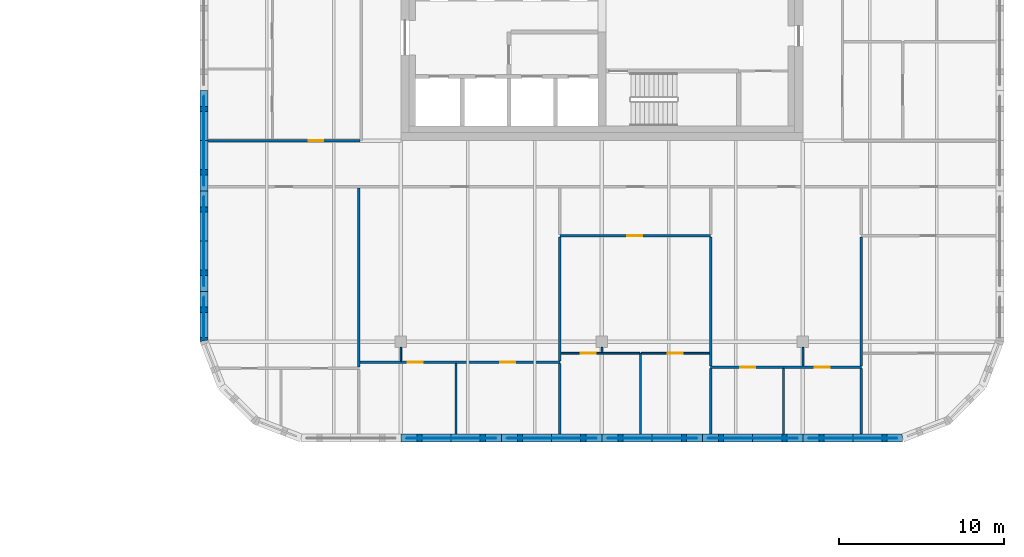
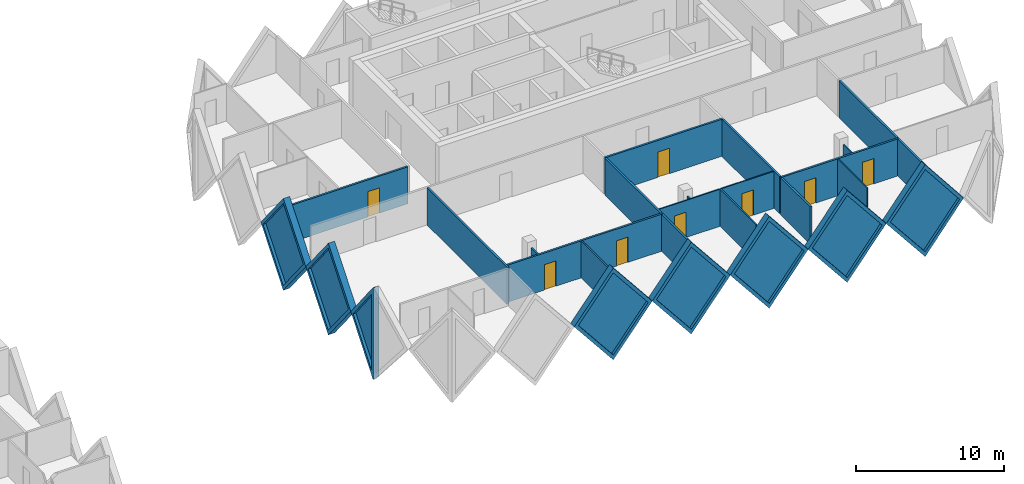
# One storey, part 12 of 19: 27 walls, 8 doors, 8 plates, 16 openings.
"""IFC4 building model written with IfcOpenShell, lengths in metres."""

from ifc_helpers import new_model, si_unit, direction, frame, frame_2d, origin, place, context, subcontext, project, spatial, polyline, rectangle, outline, extrude, faceted_brep, source, transform, mapped, material, layer, layer_set, type_object, element, fill, save


model = new_model("IFC4")

# Units and contexts
model_context = context("Model", 3, precision=1e-05, world=origin(), true_north=direction((0.0, 1.0)))
body_context = subcontext(model_context, "Body", "Model", "MODEL_VIEW")
ifc_project = project(units=[si_unit("LENGTHUNIT", "METRE"), si_unit("AREAUNIT", "SQUARE_METRE"), si_unit("VOLUMEUNIT", "CUBIC_METRE"), si_unit("PLANEANGLEUNIT", "RADIAN"), si_unit("MASSUNIT", "GRAM", prefix="KILO")], contexts=[model_context])

# Site, building, storey
site_placement = place(None, origin())
site = spatial("IfcSite", under=ifc_project, at=site_placement, CompositionType="ELEMENT")
building_placement = place(site_placement, origin())
building = spatial("IfcBuilding", under=site, at=building_placement, Name="Tessera Gate Towers", CompositionType="ELEMENT")
storey_placement = place(building_placement, frame((0.0, 0.0, 72.39990234375)))
storey = spatial("IfcBuildingStorey", under=building, at=storey_placement, Name="L17", CompositionType="ELEMENT", Elevation=72.39990234375)

# Wall, opening, door
ifc_material_1 = material(Name="Gypsum board on steel studs, mineral wool", Category="steel")
ifc_layer_1 = layer(ifc_material_1, 0.14990234375)
ifc_layer_set_1 = layer_set([ifc_layer_1], Name="CORRIDOR WALL 150")
wall_type_1 = type_object("IfcWallType", Name="CORRIDOR WALL 150", PredefinedType="PARTITIONING", material=ifc_layer_set_1)
wall_1_placement = place(storey_placement, frame((85.89990234375, 36.60009765625, 0.0), z_axis=(0.0, 0.0, 1.0), x_axis=(1.0, 0.0, 0.0)))
wall_1 = element("IfcWall", 1, at=wall_1_placement, inside=storey, type_object=wall_type_1, Name="T2-L17-PW-028", PredefinedType="PARTITIONING", context=body_context, shape_type="SweptSolid", body=[
    extrude(rectangle(XDim=9.22412109375, YDim=0.14990234375, at=frame_2d((4.612060546875, 0.0))), origin(), (0.0, 0.0, 1.0), 3.067138671875),
])
shared_shape_1 = source(origin(), body_context, "Body", "SweptSolid", [
    extrude(rectangle(XDim=0.89990234375, YDim=2.10009765625, at=frame_2d((0.449951171875, 1.050048828125))), frame((0.0, 0.0849609375, 0.0), z_axis=(0.0, -1.0, 0.0), x_axis=(1.0, 0.0, 0.0)), (0.0, 0.0, 1.0), 0.169921875),
])
opening_1_placement = place(wall_1_placement, frame((6.10009765625, 0.0, 0.0)))
opening_1 = element("IfcOpeningElement", 2, at=opening_1_placement, cuts=wall_1, Name="Opening D890FD60-B07-03", PredefinedType="OPENING", context=body_context, shape_type="MappedRepresentation", body=[
    mapped(shared_shape_1, transform((0.0, 0.0, 0.0), scale=1.0)),
])
ifc_material_2 = material(Name="Timber door leaf in steel frame", Category="steel")
door_type_1 = type_object("IfcDoorType", Name="CORRIDOR DOOR 900 FD60", OperationType="NOTDEFINED", PredefinedType="DOOR", material=ifc_material_2)
shared_shape_2 = source(origin(), body_context, "Body", "SweptSolid", [
    extrude(rectangle(XDim=0.89990234375, YDim=2.10009765625, at=frame_2d((0.449951171875, 1.050048828125))), frame((0.0, 0.02490234375, 0.0), z_axis=(0.0, -1.0, 0.0), x_axis=(1.0, 0.0, 0.0)), (0.0, 0.0, 1.0), 0.050048828125),
])
door_1_placement = place(opening_1_placement, origin())
door_1 = element("IfcDoor", 3, at=door_1_placement, inside=storey, type_object=door_type_1, Name="T2-L17-PD-028", OperationType="SINGLE_SWING_LEFT", OverallHeight=2.10009765625, OverallWidth=0.89990234375, PredefinedType="DOOR", context=body_context, shape_type="MappedRepresentation", body=[
    mapped(shared_shape_2, transform((0.0, 0.0, 0.0), scale=1.0)),
])
fill(opening_1, door_1)

# Walls
ifc_material_3 = material(Name="Gypsum board on steel studs", Category="steel")
ifc_layer_2 = layer(ifc_material_3, 0.10009765625)
ifc_layer_set_2 = layer_set([ifc_layer_2], Name="PARTITION 100")
wall_type_2 = type_object("IfcWallType", Name="PARTITION 100", PredefinedType="PARTITIONING", material=ifc_layer_set_2)
wall_2_placement = place(storey_placement, frame((100.944091796875, 18.800048828125, 0.0), z_axis=(0.0, 0.0, 1.0), x_axis=(0.0, 1.0, 0.0)))
element("IfcWall", 4, at=wall_2_placement, inside=storey, type_object=wall_type_2, Name="T2-L17-PW-002", PredefinedType="PARTITIONING", context=body_context, shape_type="SweptSolid", body=[
    extrude(rectangle(XDim=4.27392578125, YDim=0.10009765625, at=frame_2d((2.136962890625, 0.0))), origin(), (0.0, 0.0, 1.0), 3.067138671875),
])
wall_3_placement = place(storey_placement, frame((112.14501953125, 18.800048828125, 0.0), z_axis=(0.0, 0.0, 1.0), x_axis=(0.0, 1.0, 0.0)))
element("IfcWall", 5, at=wall_3_placement, inside=storey, type_object=wall_type_2, Name="T2-L17-PW-004", PredefinedType="PARTITIONING", context=body_context, shape_type="SweptSolid", body=[
    extrude(rectangle(XDim=4.89990234375, YDim=0.10009765625, at=frame_2d((2.449951171875, 0.0))), origin(), (0.0, 0.0, 1.0), 3.067138671875),
])
wall_4_placement = place(storey_placement, frame((120.820068359375, 18.800048828125, 0.0), z_axis=(0.0, 0.0, 1.0), x_axis=(0.0, 1.0, 0.0)))
element("IfcWall", 6, at=wall_4_placement, inside=storey, type_object=wall_type_2, Name="T2-L17-PW-006", PredefinedType="PARTITIONING", context=body_context, shape_type="SweptSolid", body=[
    extrude(rectangle(XDim=3.973876953125, YDim=0.10009765625, at=frame_2d((1.98681640625, 0.0))), origin(), (0.0, 0.0, 1.0), 3.067138671875),
])

# Wall, opening, door
wall_5_placement = place(storey_placement, frame((112.09423828125, 23.699951171875, 0.0), z_axis=(0.0, 0.0, 1.0), x_axis=(-1.0, 0.0, 0.0)))
wall_5 = element("IfcWall", 7, at=wall_5_placement, inside=storey, type_object=wall_type_2, Name="T2-L17-PW-016", PredefinedType="PARTITIONING", context=body_context, shape_type="SweptSolid", body=[
    extrude(rectangle(XDim=4.768310546875, YDim=0.10009765625, at=frame_2d((2.38427734375, 0.0))), origin(), (0.0, 0.0, 1.0), 3.067138671875),
])
shared_shape_3 = source(origin(), body_context, "Body", "SweptSolid", [
    extrude(rectangle(XDim=0.89990234375, YDim=2.10009765625, at=frame_2d((0.449951171875, 1.050048828125))), frame((0.0, 0.06005859375, 0.0), z_axis=(0.0, -1.0, 0.0), x_axis=(1.0, 0.0, 0.0)), (0.0, 0.0, 1.0), 0.1201171875),
])
opening_2_placement = place(wall_5_placement, frame((2.668212890625, 0.0, 0.0)))
opening_2 = element("IfcOpeningElement", 8, at=opening_2_placement, cuts=wall_5, Name="Opening D190-B07-06", PredefinedType="OPENING", context=body_context, shape_type="MappedRepresentation", body=[
    mapped(shared_shape_3, transform((0.0, 0.0, 0.0), scale=1.0)),
])
ifc_material_4 = material(Name="Timber door leaf in steel frame", Category="steel")
door_type_2 = type_object("IfcDoorType", Name="INTERNAL DOOR 900 NOT RATED", OperationType="NOTDEFINED", PredefinedType="DOOR", material=ifc_material_4)
door_2_placement = place(opening_2_placement, origin())
door_2 = element("IfcDoor", 9, at=door_2_placement, inside=storey, type_object=door_type_2, Name="T2-L17-PD-009", OperationType="SINGLE_SWING_LEFT", OverallHeight=2.10009765625, OverallWidth=0.89990234375, PredefinedType="DOOR", context=body_context, shape_type="MappedRepresentation", body=[
    mapped(shared_shape_2, transform((0.0, 0.0, 0.0), scale=1.0)),
])
fill(opening_2, door_2)

wall_6_placement = place(storey_placement, frame((116.323974609375, 23.699951171875, 0.0), z_axis=(0.0, 0.0, 1.0), x_axis=(-1.0, 0.0, 0.0)))
wall_6 = element("IfcWall", 10, at=wall_6_placement, inside=storey, type_object=wall_type_2, Name="T2-L17-PW-017", PredefinedType="PARTITIONING", context=body_context, shape_type="SweptSolid", body=[
    extrude(rectangle(XDim=4.127685546875, YDim=0.10009765625, at=frame_2d((2.06396484375, 0.0))), origin(), (0.0, 0.0, 1.0), 3.067138671875),
])
opening_3_placement = place(wall_6_placement, frame((1.627685546875, 0.0, 0.0)))
opening_3 = element("IfcOpeningElement", 11, at=opening_3_placement, cuts=wall_6, Name="Opening D190-B07-02", PredefinedType="OPENING", context=body_context, shape_type="MappedRepresentation", body=[
    mapped(shared_shape_3, transform((0.0, 0.0, 0.0), scale=1.0)),
])
door_3_placement = place(opening_3_placement, origin())
door_3 = element("IfcDoor", 12, at=door_3_placement, inside=storey, type_object=door_type_2, Name="T2-L17-PD-002", OperationType="SINGLE_SWING_RIGHT", OverallHeight=2.10009765625, OverallWidth=0.89990234375, PredefinedType="DOOR", context=body_context, shape_type="MappedRepresentation", body=[
    mapped(shared_shape_2, transform((0.0, 0.0, 0.0), scale=1.0)),
])
fill(opening_3, door_3)

# Walls
wall_7_placement = place(storey_placement, frame((97.60009765625, 24.050048828125, 0.0), z_axis=(0.0, 0.0, 1.0), x_axis=(0.0, -1.0, 0.0)))
element("IfcWall", 13, at=wall_7_placement, inside=storey, type_object=wall_type_2, Name="T2-L17-PW-019", PredefinedType="PARTITIONING", context=body_context, shape_type="SweptSolid", body=[
    extrude(rectangle(XDim=0.824951171875, YDim=0.10009765625, at=frame_2d((0.41259765625, 0.0))), origin(), (0.0, 0.0, 1.0), 3.067138671875),
])
wall_8_placement = place(storey_placement, frame((109.800048828125, 24.050048828125, 0.0), z_axis=(0.0, 0.0, 1.0), x_axis=(0.0, -1.0, 0.0)))
element("IfcWall", 14, at=wall_8_placement, inside=storey, type_object=wall_type_2, Name="T2-L17-PW-020", PredefinedType="PARTITIONING", context=body_context, shape_type="SweptSolid", body=[
    extrude(rectangle(XDim=0.300048828125, YDim=0.10009765625, at=frame_2d((0.14990234375, 0.0))), origin(), (0.0, 0.0, 1.0), 3.067138671875),
])
wall_9_placement = place(storey_placement, frame((122.0, 24.050048828125, 0.0), z_axis=(0.0, 0.0, 1.0), x_axis=(0.0, -1.0, 0.0)))
element("IfcWall", 15, at=wall_9_placement, inside=storey, type_object=wall_type_2, Name="T2-L17-PW-021", PredefinedType="PARTITIONING", context=body_context, shape_type="SweptSolid", body=[
    extrude(rectangle(XDim=1.125, YDim=0.10009765625, at=frame_2d((0.5625, 0.0))), origin(), (0.0, 0.0, 1.0), 3.067138671875),
])
ifc_material_5 = material(Name="Gypsum board on steel studs, mineral wool", Category="steel")
ifc_layer_3 = layer(ifc_material_5, 0.14990234375)
ifc_layer_set_3 = layer_set([ifc_layer_3], Name="TENANCY WALL 150")
wall_type_3 = type_object("IfcWallType", Name="TENANCY WALL 150", PredefinedType="PARTITIONING", material=ifc_layer_set_3)
wall_10_placement = place(storey_placement, frame((107.25, 18.800048828125, 0.0), z_axis=(0.0, 0.0, 1.0), x_axis=(0.0, 1.0, 0.0)))
element("IfcWall", 16, at=wall_10_placement, inside=storey, type_object=wall_type_3, Name="T2-L17-PW-003", PredefinedType="PARTITIONING", context=body_context, shape_type="SweptSolid", body=[
    extrude(rectangle(XDim=4.27392578125, YDim=0.14990234375, at=frame_2d((2.136962890625, 0.0))), origin(), (0.0, 0.0, 1.0), 3.067138671875),
])
for number, where, z_axis, x_axis, name in (
    (17, (116.39990234375, 18.800048828125, 0.0), (0.0, 0.0, 1.0), (0.0, 1.0, 0.0), "T2-L17-PW-005"),
    (18, (125.550048828125, 18.800048828125, 0.0), (0.0, 0.0, 1.0), (0.0, 1.0, 0.0), "T2-L17-PW-007"),
):
    element("IfcWall", number, at=place(storey_placement, frame(where, z_axis=z_axis, x_axis=x_axis)), inside=storey, type_object=wall_type_3, Name=name, PredefinedType="PARTITIONING", context=body_context, shape_type="SweptSolid", body=[
        extrude(rectangle(XDim=3.973876953125, YDim=0.14990234375, at=frame_2d((1.98681640625, 0.0))), origin(), (0.0, 0.0, 1.0), 3.067138671875),
    ])
wall_11_placement = place(storey_placement, frame((95.050048828125, 22.85107421875, 0.0), z_axis=(0.0, 0.0, 1.0), x_axis=(0.0, 1.0, 0.0)))
element("IfcWall", 19, at=wall_11_placement, inside=storey, type_object=wall_type_3, Name="T2-L17-PW-010", PredefinedType="PARTITIONING", context=body_context, shape_type="SweptSolid", body=[
    extrude(rectangle(XDim=10.873046875, YDim=0.14990234375, at=frame_2d((5.4365234375, 0.0))), origin(), (0.0, 0.0, 1.0), 3.067138671875),
])

# Wall, openings, doors
wall_12_placement = place(storey_placement, frame((125.550048828125, 22.85009765625, 0.0), z_axis=(0.0, 0.0, 1.0), x_axis=(-1.0, 0.0, 0.0)))
wall_12 = element("IfcWall", 20, at=wall_12_placement, inside=storey, type_object=wall_type_3, Name="T2-L17-PW-011", PredefinedType="PARTITIONING", context=body_context, shape_type="SweptSolid", body=[
    extrude(rectangle(XDim=9.150146484375, YDim=0.14990234375, at=frame_2d((4.5751953125, 0.0))), origin(), (0.0, 0.0, 1.0), 3.067138671875),
])
opening_4_placement = place(wall_12_placement, frame((6.449951171875, 0.0, 0.0)))
opening_4 = element("IfcOpeningElement", 21, at=opening_4_placement, cuts=wall_12, Name="Opening D190-B07-03", PredefinedType="OPENING", context=body_context, shape_type="MappedRepresentation", body=[
    mapped(shared_shape_1, transform((0.0, 0.0, 0.0), scale=1.0)),
])
opening_5_placement = place(wall_12_placement, frame((1.9296875, 0.0, 0.0)))
opening_5 = element("IfcOpeningElement", 22, at=opening_5_placement, cuts=wall_12, Name="Opening D190-B07-05", PredefinedType="OPENING", context=body_context, shape_type="MappedRepresentation", body=[
    mapped(shared_shape_1, transform((0.0, 0.0, 0.0), scale=1.0)),
])
door_4_placement = place(opening_4_placement, origin())
door_4 = element("IfcDoor", 23, at=door_4_placement, inside=storey, type_object=door_type_2, Name="T2-L17-PD-004", OperationType="SINGLE_SWING_RIGHT", OverallHeight=2.10009765625, OverallWidth=0.89990234375, PredefinedType="DOOR", context=body_context, shape_type="MappedRepresentation", body=[
    mapped(shared_shape_2, transform((0.0, 0.0, 0.0), scale=1.0)),
])
fill(opening_4, door_4)
door_5_placement = place(opening_5_placement, origin())
door_5 = element("IfcDoor", 24, at=door_5_placement, inside=storey, type_object=door_type_2, Name="T2-L17-PD-008", OperationType="SINGLE_SWING_RIGHT", OverallHeight=2.10009765625, OverallWidth=0.89990234375, PredefinedType="DOOR", context=body_context, shape_type="MappedRepresentation", body=[
    mapped(shared_shape_2, transform((0.0, 0.0, 0.0), scale=1.0)),
])
fill(opening_5, door_5)

# Walls
for number, where, z_axis, x_axis, name in (
    (25, (116.39990234375, 22.926025390625, 0.0), (0.0, 0.0, 1.0), (0.0, 1.0, 0.0), "T2-L17-PW-012"),
    (26, (125.550048828125, 22.926025390625, 0.0), (0.0, 0.0, 1.0), (0.0, 1.0, 0.0), "T2-L17-PW-013"),
):
    element("IfcWall", number, at=place(storey_placement, frame(where, z_axis=z_axis, x_axis=x_axis)), inside=storey, type_object=wall_type_3, Name=name, PredefinedType="PARTITIONING", context=body_context, shape_type="SweptSolid", body=[
        extrude(rectangle(XDim=7.822998046875, YDim=0.14990234375, at=frame_2d((3.91162109375, 0.0))), origin(), (0.0, 0.0, 1.0), 3.067138671875),
    ])

# Wall, openings, doors
wall_13_placement = place(storey_placement, frame((107.25, 23.14990234375, 0.0), z_axis=(0.0, 0.0, 1.0), x_axis=(-1.0, 0.0, 0.0)))
wall_13 = element("IfcWall", 27, at=wall_13_placement, inside=storey, type_object=wall_type_3, Name="T2-L17-PW-014", PredefinedType="PARTITIONING", context=body_context, shape_type="SweptSolid", body=[
    extrude(rectangle(XDim=12.1240234375, YDim=0.14990234375, at=frame_2d((6.06201171875, 0.0))), origin(), (0.0, 0.0, 1.0), 3.067138671875),
])
opening_6_placement = place(wall_13_placement, frame((8.323974609375, 0.0, 0.0)))
opening_6 = element("IfcOpeningElement", 28, at=opening_6_placement, cuts=wall_13, Name="Opening D190-B07-07", PredefinedType="OPENING", context=body_context, shape_type="MappedRepresentation", body=[
    mapped(shared_shape_1, transform((0.0, 0.0, 0.0), scale=1.0)),
])
opening_7_placement = place(wall_13_placement, frame((2.706298828125, 0.0, 0.0)))
opening_7 = element("IfcOpeningElement", 29, at=opening_7_placement, cuts=wall_13, Name="Opening D190-B07-08", PredefinedType="OPENING", context=body_context, shape_type="MappedRepresentation", body=[
    mapped(shared_shape_1, transform((0.0, 0.0, 0.0), scale=1.0)),
])
door_6_placement = place(opening_6_placement, origin())
door_6 = element("IfcDoor", 30, at=door_6_placement, inside=storey, type_object=door_type_2, Name="T2-L17-PD-011", OperationType="SINGLE_SWING_RIGHT", OverallHeight=2.10009765625, OverallWidth=0.89990234375, PredefinedType="DOOR", context=body_context, shape_type="MappedRepresentation", body=[
    mapped(shared_shape_2, transform((0.0, 0.0, 0.0), scale=1.0)),
])
fill(opening_6, door_6)
door_7_placement = place(opening_7_placement, origin())
door_7 = element("IfcDoor", 31, at=door_7_placement, inside=storey, type_object=door_type_2, Name="T2-L17-PD-013", OperationType="SINGLE_SWING_RIGHT", OverallHeight=2.10009765625, OverallWidth=0.89990234375, PredefinedType="DOOR", context=body_context, shape_type="MappedRepresentation", body=[
    mapped(shared_shape_2, transform((0.0, 0.0, 0.0), scale=1.0)),
])
fill(opening_7, door_7)

# Wall
wall_14_placement = place(storey_placement, frame((107.25, 23.22607421875, 0.0), z_axis=(0.0, 0.0, 1.0), x_axis=(0.0, 1.0, 0.0)))
element("IfcWall", 32, at=wall_14_placement, inside=storey, type_object=wall_type_3, Name="T2-L17-PW-015", PredefinedType="PARTITIONING", context=body_context, shape_type="SweptSolid", body=[
    extrude(rectangle(XDim=7.52294921875, YDim=0.14990234375, at=frame_2d((3.761474609375, 0.0))), origin(), (0.0, 0.0, 1.0), 3.067138671875),
])

# Wall, opening, door
wall_15_placement = place(storey_placement, frame((116.39990234375, 30.824951171875, 0.0), z_axis=(0.0, 0.0, 1.0), x_axis=(-1.0, 0.0, 0.0)))
wall_15 = element("IfcWall", 33, at=wall_15_placement, inside=storey, type_object=wall_type_3, Name="T2-L17-PW-022", PredefinedType="PARTITIONING", context=body_context, shape_type="SweptSolid", body=[
    extrude(rectangle(XDim=9.14990234375, YDim=0.14990234375, at=frame_2d((4.574951171875, 0.0))), origin(), (0.0, 0.0, 1.0), 3.067138671875),
])
opening_8_placement = place(wall_15_placement, frame((4.14990234375, 0.0, 0.0)))
opening_8 = element("IfcOpeningElement", 34, at=opening_8_placement, cuts=wall_15, Name="Opening D190-B07-12", PredefinedType="OPENING", context=body_context, shape_type="MappedRepresentation", body=[
    mapped(shared_shape_1, transform((0.0, 0.0, 0.0), scale=1.0)),
])
door_8_placement = place(opening_8_placement, origin())
door_8 = element("IfcDoor", 35, at=door_8_placement, inside=storey, type_object=door_type_2, Name="T2-L17-PD-024", OperationType="SINGLE_SWING_RIGHT", OverallHeight=2.10009765625, OverallWidth=0.89990234375, PredefinedType="DOOR", context=body_context, shape_type="MappedRepresentation", body=[
    mapped(shared_shape_2, transform((0.0, 0.0, 0.0), scale=1.0)),
])
fill(opening_8, door_8)

# Wall, opening, plate
ifc_material_6 = material(Name="Precast concrete C60/75 white", Category="concrete")
ifc_layer_4 = layer(ifc_material_6, 0.5)
ifc_layer_set_4 = layer_set([ifc_layer_4], Name="TS1 tessera")
wall_type_4 = type_object("IfcWallType", Name="TS1 tessera", PredefinedType="SOLIDWALL", material=ifc_layer_set_4)
shared_shape_4 = source(origin(), body_context, "Body", "Brep", [
    faceted_brep([(3.050048828125, -0.25, 0.0), (6.099853515625, -0.25, 3.799560546875), (6.099853515625, -0.25, 3.800048828125), (3.050048828125, -0.25, 7.599853515625), (0.0, -0.25, 3.7998046875), (0.0, 0.25, 3.7998046875), (3.050048828125, 0.25, 7.599853515625), (6.099853515625, 0.25, 3.800048828125), (6.099853515625, 0.25, 3.799560546875), (3.050048828125, 0.25, 0.0)], [[[0, 1, 2, 3, 4]], [[5, 6, 7, 8, 9]], [[9, 8, 1, 0]], [[7, 6, 3, 2]], [[6, 5, 4, 3]], [[5, 9, 0, 4]], [[1, 8, 7, 2]]]),
])
wall_16_placement = place(storey_placement, frame((97.60009765625, 18.550048828125, -3.7998046875), z_axis=(0.0, 0.0, 1.0), x_axis=(1.0, 0.0, 0.0)))
wall_16 = element("IfcWall", 36, at=wall_16_placement, inside=storey, type_object=wall_type_4, Name="Precast tessera T2 TS1-0181", PredefinedType="SOLIDWALL", context=body_context, shape_type="MappedRepresentation", body=[
    mapped(shared_shape_4, transform((0.0, 0.0, 0.0), scale=1.0)),
])
shared_shape_5 = source(origin(), body_context, "Body", "SweptSolid", [
    extrude(outline(polyline([(3.050048828125, 0.3994140625), (5.779541015625, 3.7998046875), (3.050048828125, 7.200439453125), (0.320556640625, 3.7998046875), (3.050048828125, 0.3994140625)])), frame((0.0, 0.260009765625, 0.0), z_axis=(0.0, -1.0, 0.0), x_axis=(1.0, 0.0, 0.0)), (0.0, 0.0, 1.0), 0.52001953125),
])
opening_9_placement = place(wall_16_placement, origin())
opening_9 = element("IfcOpeningElement", 37, at=opening_9_placement, cuts=wall_16, Name="Opening T2-PL2-0341", PredefinedType="OPENING", context=body_context, shape_type="MappedRepresentation", body=[
    mapped(shared_shape_5, transform((0.0, 0.0, 0.0), scale=1.0)),
])
ifc_material_7 = material(Name="Low-e laminated glass", Category="glass")
ifc_layer_5 = layer(ifc_material_7, 0.06005859375)
ifc_layer_set_5 = layer_set([ifc_layer_5], Name="PL2 rhombic pane")
plate_type = type_object("IfcPlateType", Name="PL2 rhombic pane", PredefinedType="SHEET", material=ifc_layer_set_5)
shared_shape_6 = source(origin(), body_context, "Body", "SweptSolid", [
    extrude(outline(polyline([(3.050048828125, 0.3994140625), (5.779541015625, 3.7998046875), (3.050048828125, 7.200439453125), (0.320556640625, 3.7998046875), (3.050048828125, 0.3994140625)])), frame((0.0, 0.030029296875, 0.0), z_axis=(0.0, -1.0, 0.0), x_axis=(1.0, 0.0, 0.0)), (0.0, 0.0, 1.0), 0.06005859375),
])
plate_1_placement = place(opening_9_placement, origin())
plate_1 = element("IfcPlate", 38, at=plate_1_placement, inside=storey, type_object=plate_type, Name="Glass pane T2 PL2-0341", PredefinedType="SHEET", context=body_context, shape_type="MappedRepresentation", body=[
    mapped(shared_shape_6, transform((0.0, 0.0, 0.0), scale=1.0)),
])
fill(opening_9, plate_1)

wall_17_placement = place(storey_placement, frame((109.800048828125, 18.550048828125, -3.7998046875), z_axis=(0.0, 0.0, 1.0), x_axis=(1.0, 0.0, 0.0)))
wall_17 = element("IfcWall", 39, at=wall_17_placement, inside=storey, type_object=wall_type_4, Name="Precast tessera T2 TS1-0183", PredefinedType="SOLIDWALL", context=body_context, shape_type="MappedRepresentation", body=[
    mapped(shared_shape_4, transform((0.0, 0.0, 0.0), scale=1.0)),
])
opening_10_placement = place(wall_17_placement, origin())
opening_10 = element("IfcOpeningElement", 40, at=opening_10_placement, cuts=wall_17, Name="Opening T2-PL2-0343", PredefinedType="OPENING", context=body_context, shape_type="MappedRepresentation", body=[
    mapped(shared_shape_5, transform((0.0, 0.0, 0.0), scale=1.0)),
])
plate_2_placement = place(opening_10_placement, origin())
plate_2 = element("IfcPlate", 41, at=plate_2_placement, inside=storey, type_object=plate_type, Name="Glass pane T2 PL2-0343", PredefinedType="SHEET", context=body_context, shape_type="MappedRepresentation", body=[
    mapped(shared_shape_6, transform((0.0, 0.0, 0.0), scale=1.0)),
])
fill(opening_10, plate_2)

wall_18_placement = place(storey_placement, frame((85.64990234375, 39.64990234375, -3.7998046875), z_axis=(0.0, 0.0, 1.0), x_axis=(0.0, -1.0, 0.0)))
wall_18 = element("IfcWall", 42, at=wall_18_placement, inside=storey, type_object=wall_type_4, Name="Precast tessera T2 TS1-0196", PredefinedType="SOLIDWALL", context=body_context, shape_type="MappedRepresentation", body=[
    mapped(shared_shape_4, transform((0.0, 0.0, 0.0), scale=1.0)),
])
opening_11_placement = place(wall_18_placement, origin())
opening_11 = element("IfcOpeningElement", 43, at=opening_11_placement, cuts=wall_18, Name="Opening T2-PL2-0368", PredefinedType="OPENING", context=body_context, shape_type="MappedRepresentation", body=[
    mapped(shared_shape_5, transform((0.0, 0.0, 0.0), scale=1.0)),
])
plate_3_placement = place(opening_11_placement, origin())
plate_3 = element("IfcPlate", 44, at=plate_3_placement, inside=storey, type_object=plate_type, Name="Glass pane T2 PL2-0368", PredefinedType="SHEET", context=body_context, shape_type="MappedRepresentation", body=[
    mapped(shared_shape_6, transform((0.0, 0.0, 0.0), scale=1.0)),
])
fill(opening_11, plate_3)

shared_shape_7 = source(origin(), body_context, "Body", "SweptSolid", [
    extrude(outline(polyline([(3.050048828125, 0.0), (6.10009765625, 3.7998046875), (3.050048828125, 7.599853515625), (0.0, 3.7998046875), (3.050048828125, 0.0)])), frame((0.0, 0.25, 0.0), z_axis=(0.0, -1.0, 0.0), x_axis=(1.0, 0.0, 0.0)), (0.0, 0.0, 1.0), 0.5),
])
wall_19_placement = place(storey_placement, frame((103.699951171875, 18.550048828125, -3.7998046875), z_axis=(0.0, 0.0, 1.0), x_axis=(1.0, 0.0, 0.0)))
wall_19 = element("IfcWall", 45, at=wall_19_placement, inside=storey, type_object=wall_type_4, Name="Precast tessera T2 TS1-0182", PredefinedType="SOLIDWALL", context=body_context, shape_type="MappedRepresentation", body=[
    mapped(shared_shape_7, transform((0.0, 0.0, 0.0), scale=1.0)),
])
opening_12_placement = place(wall_19_placement, origin())
opening_12 = element("IfcOpeningElement", 46, at=opening_12_placement, cuts=wall_19, Name="Opening T2-PL2-0342", PredefinedType="OPENING", context=body_context, shape_type="MappedRepresentation", body=[
    mapped(shared_shape_5, transform((0.0, 0.0, 0.0), scale=1.0)),
])
plate_4_placement = place(opening_12_placement, origin())
plate_4 = element("IfcPlate", 47, at=plate_4_placement, inside=storey, type_object=plate_type, Name="Glass pane T2 PL2-0342", PredefinedType="SHEET", context=body_context, shape_type="MappedRepresentation", body=[
    mapped(shared_shape_6, transform((0.0, 0.0, 0.0), scale=1.0)),
])
fill(opening_12, plate_4)

wall_20_placement = place(storey_placement, frame((115.89990234375, 18.550048828125, -3.7998046875), z_axis=(0.0, 0.0, 1.0), x_axis=(1.0, 0.0, 0.0)))
wall_20 = element("IfcWall", 48, at=wall_20_placement, inside=storey, type_object=wall_type_4, Name="Precast tessera T2 TS1-0184", PredefinedType="SOLIDWALL", context=body_context, shape_type="MappedRepresentation", body=[
    mapped(shared_shape_7, transform((0.0, 0.0, 0.0), scale=1.0)),
])
opening_13_placement = place(wall_20_placement, origin())
opening_13 = element("IfcOpeningElement", 49, at=opening_13_placement, cuts=wall_20, Name="Opening T2-PL2-0344", PredefinedType="OPENING", context=body_context, shape_type="MappedRepresentation", body=[
    mapped(shared_shape_5, transform((0.0, 0.0, 0.0), scale=1.0)),
])
plate_5_placement = place(opening_13_placement, origin())
plate_5 = element("IfcPlate", 50, at=plate_5_placement, inside=storey, type_object=plate_type, Name="Glass pane T2 PL2-0344", PredefinedType="SHEET", context=body_context, shape_type="MappedRepresentation", body=[
    mapped(shared_shape_6, transform((0.0, 0.0, 0.0), scale=1.0)),
])
fill(opening_13, plate_5)

wall_21_placement = place(storey_placement, frame((85.64990234375, 33.550048828125, -3.7998046875), z_axis=(0.0, 0.0, 1.0), x_axis=(0.0, -1.0, 0.0)))
wall_21 = element("IfcWall", 51, at=wall_21_placement, inside=storey, type_object=wall_type_4, Name="Precast tessera T2 TS1-0197", PredefinedType="SOLIDWALL", context=body_context, shape_type="MappedRepresentation", body=[
    mapped(shared_shape_7, transform((0.0, 0.0, 0.0), scale=1.0)),
])
opening_14_placement = place(wall_21_placement, origin())
opening_14 = element("IfcOpeningElement", 52, at=opening_14_placement, cuts=wall_21, Name="Opening T2-PL2-0369", PredefinedType="OPENING", context=body_context, shape_type="MappedRepresentation", body=[
    mapped(shared_shape_5, transform((0.0, 0.0, 0.0), scale=1.0)),
])
plate_6_placement = place(opening_14_placement, origin())
plate_6 = element("IfcPlate", 53, at=plate_6_placement, inside=storey, type_object=plate_type, Name="Glass pane T2 PL2-0369", PredefinedType="SHEET", context=body_context, shape_type="MappedRepresentation", body=[
    mapped(shared_shape_6, transform((0.0, 0.0, 0.0), scale=1.0)),
])
fill(opening_14, plate_6)

ifc_material_8 = material(Name="Precast concrete C60/75 white", Category="concrete")
ifc_layer_6 = layer(ifc_material_8, 0.5)
ifc_layer_set_6 = layer_set([ifc_layer_6], Name="TS3 corner tessera")
wall_type_5 = type_object("IfcWallType", Name="TS3 corner tessera", PredefinedType="SOLIDWALL", material=ifc_layer_set_6)
shared_shape_8 = source(origin(), body_context, "Body", "Brep", [
    faceted_brep([(3.00341796875, -0.25, 0.0), (3.050048828125, -0.25, 0.06005859375), (3.050048828125, -0.25, 7.539794921875), (3.00341796875, -0.25, 7.599853515625), (0.0, -0.25, 3.7998046875), (0.0, 0.25, 3.7998046875), (2.956787109375, 0.25, 7.541015625), (2.956787109375, 0.25, 0.058837890625), (3.00341796875, 0.000244140625, 0.0), (3.00341796875, 0.000244140625, 7.599853515625)], [[[0, 1, 2, 3, 4]], [[5, 6, 7]], [[1, 0, 8]], [[9, 3, 2]], [[6, 5, 4, 3, 9]], [[5, 7, 8, 0, 4]], [[1, 8, 7, 6, 9, 2]]]),
])
wall_22_placement = place(storey_placement, frame((85.64990234375, 27.449951171875, -3.7998046875), z_axis=(0.0, 0.0, 1.0), x_axis=(0.0, -1.0, 0.0)))
wall_22 = element("IfcWall", 54, at=wall_22_placement, inside=storey, type_object=wall_type_5, Name="Precast corner tessera T2 TS3-0253", PredefinedType="SOLIDWALL", context=body_context, shape_type="MappedRepresentation", body=[
    mapped(shared_shape_8, transform((0.0, 0.0, 0.0), scale=1.0)),
])
shared_shape_9 = source(origin(), body_context, "Body", "SweptSolid", [
    extrude(outline(polyline([(2.803466796875, 6.943603515625), (0.318603515625, 3.7998046875), (2.803466796875, 0.656005859375), (2.803466796875, 6.943603515625)])), frame((0.0, 0.260009765625, 0.0), z_axis=(0.0, -1.0, 0.0), x_axis=(1.0, 0.0, 0.0)), (0.0, 0.0, 1.0), 0.52001953125),
])
opening_15_placement = place(wall_22_placement, origin())
opening_15 = element("IfcOpeningElement", 55, at=opening_15_placement, cuts=wall_22, Name="Opening T2-PL2-0370", PredefinedType="OPENING", context=body_context, shape_type="MappedRepresentation", body=[
    mapped(shared_shape_9, transform((0.0, 0.0, 0.0), scale=1.0)),
])
shared_shape_10 = source(origin(), body_context, "Body", "SweptSolid", [
    extrude(outline(polyline([(2.803466796875, 6.943603515625), (0.318603515625, 3.7998046875), (2.803466796875, 0.656005859375), (2.803466796875, 6.943603515625)])), frame((0.0, 0.030029296875, 0.0), z_axis=(0.0, -1.0, 0.0), x_axis=(1.0, 0.0, 0.0)), (0.0, 0.0, 1.0), 0.06005859375),
])
plate_7_placement = place(opening_15_placement, origin())
plate_7 = element("IfcPlate", 56, at=plate_7_placement, inside=storey, type_object=plate_type, Name="Glass pane T2 PL2-0370", PredefinedType="SHEET", context=body_context, shape_type="MappedRepresentation", body=[
    mapped(shared_shape_10, transform((0.0, 0.0, 0.0), scale=1.0)),
])
fill(opening_15, plate_7)

shared_shape_11 = source(origin(), body_context, "Body", "Brep", [
    faceted_brep([(3.050048828125, -0.25, 0.0), (6.053466796875, -0.25, 3.7998046875), (3.050048828125, -0.25, 7.599853515625), (0.0, -0.25, 3.7998046875), (0.0, 0.25, 3.7998046875), (3.050048828125, 0.25, 7.599853515625), (6.0068359375, 0.25, 3.858642578125), (6.0068359375, 0.25, 3.740966796875), (3.050048828125, 0.25, 0.0), (6.053466796875, 0.0, 3.7998046875)], [[[0, 1, 2, 3]], [[4, 5, 6, 7, 8]], [[8, 7, 9, 1, 0]], [[6, 5, 2, 1, 9]], [[5, 4, 3, 2]], [[4, 8, 0, 3]], [[9, 7, 6]]]),
])
wall_23_placement = place(storey_placement, frame((122.0, 18.550048828125, -3.7998046875), z_axis=(0.0, 0.0, 1.0), x_axis=(1.0, 0.0, 0.0)))
wall_23 = element("IfcWall", 57, at=wall_23_placement, inside=storey, type_object=wall_type_4, Name="Precast tessera T2 TS1-0185", PredefinedType="SOLIDWALL", context=body_context, shape_type="MappedRepresentation", body=[
    mapped(shared_shape_11, transform((0.0, 0.0, 0.0), scale=1.0)),
])
shared_shape_12 = source(origin(), body_context, "Body", "SweptSolid", [
    extrude(outline(polyline([(3.048583984375, 0.401123046875), (5.73486328125, 3.7998046875), (3.048583984375, 7.19873046875), (0.320556640625, 3.7998046875), (3.048583984375, 0.401123046875)])), frame((0.0, 0.260009765625, 0.0), z_axis=(0.0, -1.0, 0.0), x_axis=(1.0, 0.0, 0.0)), (0.0, 0.0, 1.0), 0.52001953125),
])
opening_16_placement = place(wall_23_placement, origin())
opening_16 = element("IfcOpeningElement", 58, at=opening_16_placement, cuts=wall_23, Name="Opening T2-PL2-0345", PredefinedType="OPENING", context=body_context, shape_type="MappedRepresentation", body=[
    mapped(shared_shape_12, transform((0.0, 0.0, 0.0), scale=1.0)),
])
shared_shape_13 = source(origin(), body_context, "Body", "SweptSolid", [
    extrude(outline(polyline([(3.048583984375, 0.401123046875), (5.73486328125, 3.7998046875), (3.048583984375, 7.19873046875), (0.320556640625, 3.7998046875), (3.048583984375, 0.401123046875)])), frame((0.0, 0.030029296875, 0.0), z_axis=(0.0, -1.0, 0.0), x_axis=(1.0, 0.0, 0.0)), (0.0, 0.0, 1.0), 0.06005859375),
])
plate_8_placement = place(opening_16_placement, origin())
plate_8 = element("IfcPlate", 59, at=plate_8_placement, inside=storey, type_object=plate_type, Name="Glass pane T2 PL2-0345", PredefinedType="SHEET", context=body_context, shape_type="MappedRepresentation", body=[
    mapped(shared_shape_13, transform((0.0, 0.0, 0.0), scale=1.0)),
])
fill(opening_16, plate_8)

save(model, "model.ifc")
